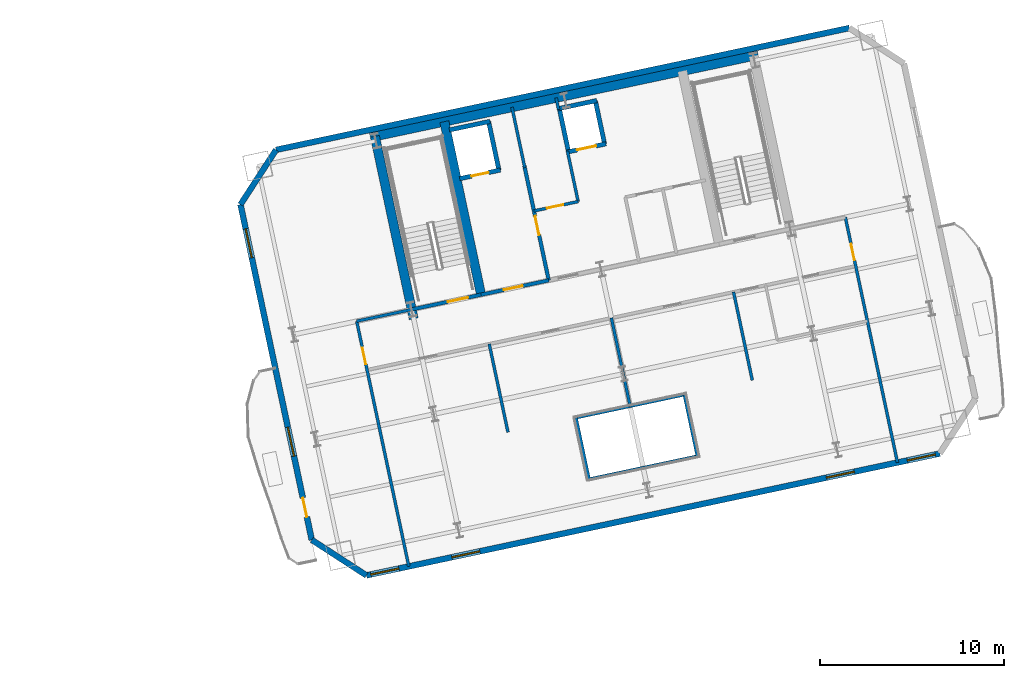
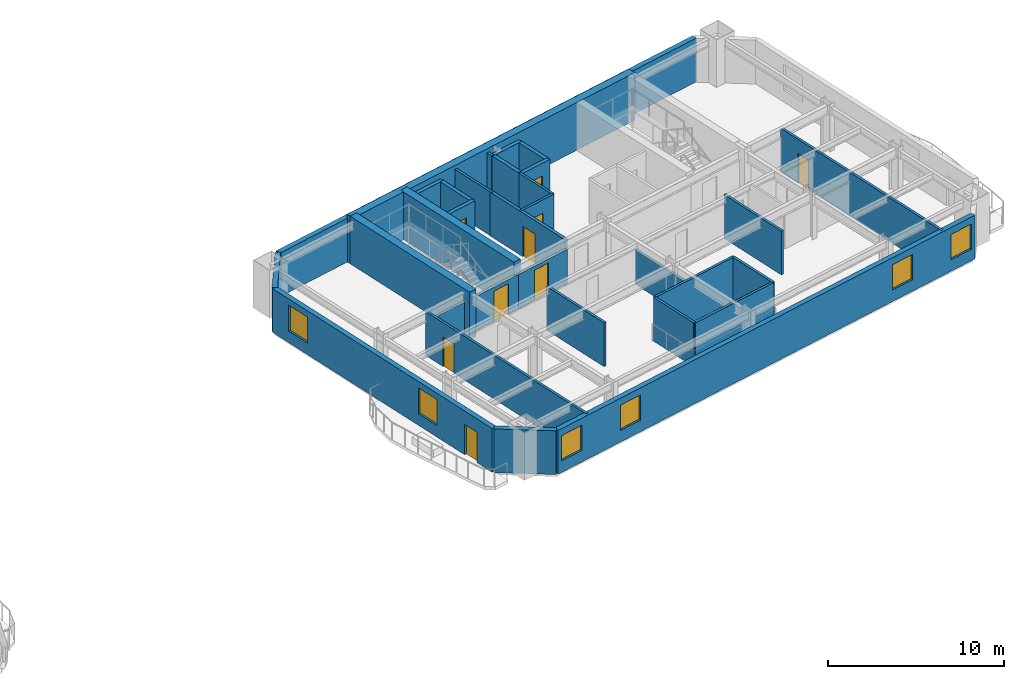
# One storey, part 7 of 13: 32 walls, 9 doors, 6 windows, 15 openings.
"""IFC4 building model written with IfcOpenShell, lengths in metres."""

import ifcopenshell
import ifcopenshell.guid

model = None  # the IFC model being written
_history = None  # IfcOwnerHistory: only IFC2X3 demands one
_inside = {}  # id of a spatial element -> (the spatial element, [elements in it])
_under = {}  # id of a project, library or spatial element -> (it, [spatial elements below it])
_declared = {}  # id of a project -> (the project, [libraries it declares])
_typed = {}  # id of a type object -> (the type object, [elements of that type])
_made_of = {}  # id of a material, layer set ... -> (it, [elements and type objects made of it])


def new_model(schema):
    """Start an empty IFC model of exactly this schema.

    Asked for "IFC4X3", IfcOpenShell would pick the latest addendum, in which some entities
    have other attributes; the version numbers below select the first issue.
    IFC2X3 requires an IfcOwnerHistory on every rooted entity: one is made here for all.
    """
    global model, _history
    if schema == "IFC4X3":
        model = ifcopenshell.file(schema_version=(4, 3, 0, 0))
    else:
        model = ifcopenshell.file(schema=schema)
    _inside.clear()
    _under.clear()
    _declared.clear()
    _typed.clear()
    _made_of.clear()
    _history = None
    if model.schema == "IFC2X3":
        org = make("IfcOrganization", Name="unknown")
        user = make(
            "IfcPersonAndOrganization",
            ThePerson=make("IfcPerson", FamilyName="unknown"),
            TheOrganization=org,
        )
        app = make(
            "IfcApplication",
            ApplicationDeveloper=org,
            Version="unknown",
            ApplicationFullName="unknown",
            ApplicationIdentifier="unknown",
        )
        _history = make(
            "IfcOwnerHistory",
            OwningUser=user,
            OwningApplication=app,
            ChangeAction="ADDED",
            CreationDate=0,
        )
    return model


def make(cls, **values):
    """One entity of the class cls with the attributes given. An attribute that is None is left unset."""
    return model.create_entity(
        cls, **{name: value for name, value in values.items() if value is not None}
    )


def rooted(cls, **values):
    """An entity with a GlobalId (a new one), such as an element, a storey or a relation."""
    return make(cls, GlobalId=ifcopenshell.guid.new(), OwnerHistory=_history, **values)


def si_unit(unit_type, name, prefix=None):
    """IfcSIUnit, for example si_unit("LENGTHUNIT", "METRE", prefix="MILLI")."""
    return make("IfcSIUnit", UnitType=unit_type, Prefix=prefix, Name=name)


def assignment(units):
    """IfcUnitAssignment: the units of a project."""
    return None if units is None else make("IfcUnitAssignment", Units=units)


def point(xyz):
    """IfcCartesianPoint."""
    return None if xyz is None else make("IfcCartesianPoint", Coordinates=xyz)


def direction(xyz):
    """IfcDirection."""
    return None if xyz is None else make("IfcDirection", DirectionRatios=xyz)


def frame(location, z_axis=None, x_axis=None):
    """IfcAxis2Placement3D, a coordinate frame: its origin and axes. An axis left out is left unset."""
    return make(
        "IfcAxis2Placement3D",
        Location=point(location),
        Axis=direction(z_axis),
        RefDirection=direction(x_axis),
    )


def frame_2d(location, x_axis=None):
    """IfcAxis2Placement2D, a coordinate frame in the plane: its origin and x axis."""
    return make(
        "IfcAxis2Placement2D", Location=point(location), RefDirection=direction(x_axis)
    )


def origin():
    """The frame at (0, 0, 0) with its axes left unset."""
    return frame((0.0, 0.0, 0.0))


def place(relative_to, where):
    """IfcLocalPlacement: puts the frame where relative to a parent placement (None: the world)."""
    return make(
        "IfcLocalPlacement", PlacementRelTo=relative_to, RelativePlacement=where
    )


def context(
    kind, dimensions, precision=None, world=None, true_north=None, identifier=None
):
    """IfcGeometricRepresentationContext, for example the 3D "Model" context."""
    return make(
        "IfcGeometricRepresentationContext",
        ContextIdentifier=identifier,
        ContextType=kind,
        CoordinateSpaceDimension=dimensions,
        Precision=precision,
        WorldCoordinateSystem=world,
        TrueNorth=true_north,
    )


def subcontext(parent, identifier, kind, view, scale=None):
    """IfcGeometricRepresentationSubContext, for example "Body" below "Model"."""
    return make(
        "IfcGeometricRepresentationSubContext",
        ContextIdentifier=identifier,
        ContextType=kind,
        ParentContext=parent,
        TargetScale=scale,
        TargetView=view,
    )


def project(units=None, contexts=None):
    """IfcProject with its units and contexts."""
    return rooted(
        "IfcProject",
        Name="project",
        RepresentationContexts=contexts,
        UnitsInContext=assignment(units),
    )


def spatial(cls, under=None, at=None, **own):
    """A site, building, storey or space (cls), placed at a placement, below another one or the project."""
    s = rooted(cls, ObjectPlacement=at, **own)
    if under is not None:
        _under.setdefault(under.id(), (under, []))[1].append(s)
    return s


def profile(cls, at=None, kind="AREA", **sizes):
    """A parametric profile (cls). Its sizes go by their IFC names, for example OverallWidth=200.0."""
    return make(cls, ProfileType=kind, Position=at, **sizes)


def rectangle(**sizes):
    """IfcRectangleProfileDef."""
    return profile("IfcRectangleProfileDef", **sizes)


def extrude(swept, where, along, depth):
    """IfcExtrudedAreaSolid: the profile swept, set in the frame where, extruded along a direction by depth."""
    return make(
        "IfcExtrudedAreaSolid",
        SweptArea=swept,
        Position=where,
        ExtrudedDirection=direction(along),
        Depth=depth,
    )


def shape(context_of_items, identifier, shape_type, items):
    """IfcShapeRepresentation: the items that make up one representation, for example the "Body"."""
    return make(
        "IfcShapeRepresentation",
        ContextOfItems=context_of_items,
        RepresentationIdentifier=identifier,
        RepresentationType=shape_type,
        Items=items,
    )


def material(Name=None, Category=None):
    """IfcMaterial."""
    return make("IfcMaterial", Name=Name, Category=Category)


def layer(
    of_material, thickness, ventilated=None, Name=None, Category=None, Priority=None
):
    """IfcMaterialLayer: one layer of a wall or slab, of a material (None: an air gap)."""
    return make(
        "IfcMaterialLayer",
        Material=of_material,
        LayerThickness=thickness,
        IsVentilated=ventilated,
        Name=Name,
        Category=Category,
        Priority=Priority,
    )


def layer_set(layers, Name=None):
    """IfcMaterialLayerSet."""
    return make("IfcMaterialLayerSet", MaterialLayers=layers, LayerSetName=Name)


def made_of(thing, what):
    """Note that an element or type object is made of a material, layer set ...; save() writes the relation."""
    if what is not None:
        _made_of.setdefault(what.id(), (what, []))[1].append(thing)
    return thing


def type_object(cls, material=None, **own):
    """A type object (cls), such as IfcWallType, which elements share."""
    return made_of(rooted(cls, **own), material)


def element(
    cls,
    number,
    at=None,
    inside=None,
    cuts=None,
    type_object=None,
    material=None,
    context=None,
    identifier="Body",
    shape_type=None,
    held_by="IfcProductDefinitionShape",
    body=None,
    shapes=None,
    **own,
):
    """One element of the class cls, such as IfcWall. Its Tag is "e" and its number.

    at: its placement. inside: the storey or other place that contains it. cuts: it is an
    opening in that element (IfcRelVoidsElement). A single representation is given by context,
    identifier, shape_type and body (its items); several are given by shapes. held_by: the class
    of the entity that holds the representations. save() writes the other relations.
    """
    e = rooted(cls, Tag="e%d" % number, ObjectPlacement=at, **own)
    if body is not None:
        shapes = [shape(context, identifier, shape_type, body)]
    if shapes is not None:
        e.Representation = make(held_by, Representations=shapes)
    if inside is not None:
        _inside.setdefault(inside.id(), (inside, []))[1].append(e)
    if cuts is not None:
        rooted(
            "IfcRelVoidsElement", RelatingBuildingElement=cuts, RelatedOpeningElement=e
        )
    if type_object is not None:
        _typed.setdefault(type_object.id(), (type_object, []))[1].append(e)
    return made_of(e, material)


def fill(opening, filler):
    """IfcRelFillsElement: the door or window that sits in an opening."""
    return rooted(
        "IfcRelFillsElement",
        RelatingOpeningElement=opening,
        RelatedBuildingElement=filler,
    )


def aggregate(whole, parts):
    """IfcRelAggregates: a whole, such as a stair, and the parts it consists of."""
    return rooted("IfcRelAggregates", RelatingObject=whole, RelatedObjects=parts)


def save(model, path):
    """Write the relations noted so far, then the file.

    IfcRelAggregates (storeys below a building ...), IfcRelContainedInSpatialStructure (elements
    in a storey), IfcRelDefinesByType, IfcRelAssociatesMaterial and IfcRelDeclares: one each for
    every whole, place, type object, material and project.
    """
    for whole, parts in _under.values():
        aggregate(whole, parts)
    for where, things in _inside.values():
        rooted(
            "IfcRelContainedInSpatialStructure",
            RelatedElements=things,
            RelatingStructure=where,
        )
    for kind, things in _typed.values():
        rooted("IfcRelDefinesByType", RelatedObjects=things, RelatingType=kind)
    for what, things in _made_of.values():
        rooted("IfcRelAssociatesMaterial", RelatedObjects=things, RelatingMaterial=what)
    for by, libraries in _declared.values():
        rooted("IfcRelDeclares", RelatingContext=by, RelatedDefinitions=libraries)
    model.write(path)


model = new_model("IFC4")

# Units and contexts
model_context = context("Model", 3, precision=1e-05, world=origin(), true_north=direction((0.0, 1.0)))
body_context = subcontext(model_context, "Body", "Model", "MODEL_VIEW")
ifc_project = project(units=[si_unit("LENGTHUNIT", "METRE"), si_unit("AREAUNIT", "SQUARE_METRE"), si_unit("VOLUMEUNIT", "CUBIC_METRE"), si_unit("PLANEANGLEUNIT", "RADIAN"), si_unit("MASSUNIT", "GRAM", prefix="KILO")], contexts=[model_context])

# Site, building, storey
site_placement = place(None, origin())
site = spatial("IfcSite", under=ifc_project, at=site_placement, CompositionType="ELEMENT")
building_placement = place(site_placement, origin())
building = spatial("IfcBuilding", under=site, at=building_placement, Name="Haevon Station Towers", CompositionType="ELEMENT")
storey_placement = place(building_placement, frame((0.0, 0.0, 126.300048828125)))
storey = spatial("IfcBuildingStorey", under=building, at=storey_placement, Name="L34", CompositionType="ELEMENT", Elevation=126.300048828125)

# Wall, opening, door
ifc_material_1 = material(Name="Gypsum board on steel stud", Category="steel")
ifc_layer_1 = layer(ifc_material_1, 0.199951171875)
ifc_layer_set_1 = layer_set([ifc_layer_1], Name="Gypsum board on steel stud")
wall_type_1 = type_object("IfcWallType", Name="WL-COR200", PredefinedType="PARTITIONING", material=ifc_layer_set_1)
wall_1_placement = place(storey_placement, frame((98.75244140625, 37.4423828125, 0.0), z_axis=(0.0, 0.0, 1.0), x_axis=(0.978143537786, 0.207930804564, 0.0)))
wall_1 = element("IfcWall", 1, at=wall_1_placement, inside=storey, type_object=wall_type_1, Name="WL-ST-ST3-L34", PredefinedType="PARTITIONING", context=body_context, shape_type="SweptSolid", body=[
    extrude(rectangle(XDim=3.85009765625, YDim=0.199951171875, at=frame_2d((1.925048828125, 0.0))), origin(), (0.0, 0.0, 1.0), 2.3798828125),
])
opening_1_placement = place(wall_1_placement, frame((2.0, 0.0, 0.0)))
opening_1 = element("IfcOpeningElement", 2, at=opening_1_placement, cuts=wall_1, Name="Opening DR-ST-ST3-L34", PredefinedType="OPENING", context=body_context, shape_type="SweptSolid", body=[
    extrude(rectangle(XDim=1.1201171875, YDim=2.10009765625, at=frame_2d((0.56005859375, 1.050048828125))), frame((0.0, 0.10986328125, 0.0), z_axis=(0.0, -1.0, 0.0), x_axis=(1.0, 0.0, 0.0)), (0.0, 0.0, 1.0), 0.219970703125),
])
ifc_material_2 = material(Name="Engineered oak timber", Category="wood")
door_type_1 = type_object("IfcDoorType", Name="DR-ST-1120", OperationType="NOTDEFINED", PredefinedType="DOOR", material=ifc_material_2)
door_1_placement = place(opening_1_placement, origin())
door_1 = element("IfcDoor", 3, at=door_1_placement, inside=storey, type_object=door_type_1, Name="L34 Escape Stair ST3 Fire Door", OperationType="SINGLE_SWING_LEFT", OverallHeight=2.10009765625, OverallWidth=1.1201171875, PredefinedType="DOOR", context=body_context, shape_type="SweptSolid", body=[
    extrude(rectangle(XDim=1.1201171875, YDim=2.10009765625, at=frame_2d((0.56005859375, 1.050048828125))), frame((0.0, 0.02490234375, 0.0), z_axis=(0.0, -1.0, 0.0), x_axis=(1.0, 0.0, 0.0)), (0.0, 0.0, 1.0), 0.050048828125),
])
fill(opening_1, door_1)

wall_2_placement = place(storey_placement, frame((106.186279296875, 39.0224609375, 0.0), z_axis=(0.0, 0.0, 1.0), x_axis=(-0.207916691923, 0.978146537703, 0.0)))
wall_2 = element("IfcWall", 4, at=wall_2_placement, inside=storey, type_object=wall_type_1, Name="WL-T2FFL-L34-E", PredefinedType="PARTITIONING", context=body_context, shape_type="SweptSolid", body=[
    extrude(rectangle(XDim=6.35009765625, YDim=0.199951171875, at=frame_2d((3.175048828125, 0.0))), origin(), (0.0, 0.0, 1.0), 3.030029296875),
])
opening_2_placement = place(wall_2_placement, frame((2.52001953125, 0.0, 0.0)))
opening_2 = element("IfcOpeningElement", 5, at=opening_2_placement, cuts=wall_2, Name="Opening DR-T2FFL-L34-E", PredefinedType="OPENING", context=body_context, shape_type="SweptSolid", body=[
    extrude(rectangle(XDim=1.050048828125, YDim=2.10009765625, at=frame_2d((0.52490234375, 1.050048828125))), frame((0.0, 0.10986328125, 0.0), z_axis=(0.0, -1.0, 0.0), x_axis=(1.0, 0.0, 0.0)), (0.0, 0.0, 1.0), 0.219970703125),
])
door_type_2 = type_object("IfcDoorType", Name="DR-FD60-1050", OperationType="NOTDEFINED", PredefinedType="DOOR", material=ifc_material_2)
door_2_placement = place(opening_2_placement, origin())
door_2 = element("IfcDoor", 6, at=door_2_placement, inside=storey, type_object=door_type_2, Name="L34 Tower 2 Firefighting Lift Lobby Door E", OperationType="SINGLE_SWING_LEFT", OverallHeight=2.10009765625, OverallWidth=1.050048828125, PredefinedType="DOOR", context=body_context, shape_type="SweptSolid", body=[
    extrude(rectangle(XDim=1.050048828125, YDim=2.10009765625, at=frame_2d((0.52490234375, 1.050048828125))), frame((0.0, 0.02490234375, 0.0), z_axis=(0.0, -1.0, 0.0), x_axis=(1.0, 0.0, 0.0)), (0.0, 0.0, 1.0), 0.050048828125),
])
fill(opening_2, door_2)

wall_3_placement = place(storey_placement, frame((102.518310546875, 38.242919921875, 0.0), z_axis=(0.0, 0.0, 1.0), x_axis=(0.978153555683, 0.20788367301, 0.0)))
wall_3 = element("IfcWall", 7, at=wall_3_placement, inside=storey, type_object=wall_type_1, Name="WL-T2FFL-L34-S", PredefinedType="PARTITIONING", context=body_context, shape_type="SweptSolid", body=[
    extrude(rectangle(XDim=3.75, YDim=0.199951171875, at=frame_2d((1.875, 0.0))), origin(), (0.0, 0.0, 1.0), 2.3798828125),
])
opening_3_placement = place(wall_3_placement, frame((1.25, 0.0, 0.0)))
opening_3 = element("IfcOpeningElement", 8, at=opening_3_placement, cuts=wall_3, Name="Opening DR-T2FFL-L34-S", PredefinedType="OPENING", context=body_context, shape_type="SweptSolid", body=[
    extrude(rectangle(XDim=1.050048828125, YDim=2.10009765625, at=frame_2d((0.52490234375, 1.050048828125))), frame((0.0, 0.10986328125, 0.0), z_axis=(0.0, -1.0, 0.0), x_axis=(1.0, 0.0, 0.0)), (0.0, 0.0, 1.0), 0.219970703125),
])
door_3_placement = place(opening_3_placement, origin())
door_3 = element("IfcDoor", 9, at=door_3_placement, inside=storey, type_object=door_type_2, Name="L34 Tower 2 Firefighting Lift Lobby Door S", OperationType="SINGLE_SWING_RIGHT", OverallHeight=2.10009765625, OverallWidth=1.050048828125, PredefinedType="DOOR", context=body_context, shape_type="SweptSolid", body=[
    extrude(rectangle(XDim=1.050048828125, YDim=2.10009765625, at=frame_2d((0.52490234375, 1.050048828125))), frame((0.0, 0.02490234375, 0.0), z_axis=(0.0, -1.0, 0.0), x_axis=(1.0, 0.0, 0.0)), (0.0, 0.0, 1.0), 0.050048828125),
])
fill(opening_3, door_3)

# Walls
ifc_material_3 = material(Name="Concrete C60/75", Category="concrete")
ifc_layer_2 = layer(ifc_material_3, 0.5)
ifc_layer_set_2 = layer_set([ifc_layer_2], Name="Concrete C60/75")
wall_type_2 = type_object("IfcWallType", Name="WL-CR500", PredefinedType="SHEAR", material=ifc_layer_set_2)
wall_4_placement = place(storey_placement, frame((96.511962890625, 46.78076171875, 0.0), z_axis=(0.0, 0.0, 1.0), x_axis=(0.978148546782, 0.207907239961, 0.0)))
element("IfcWall", 10, at=wall_4_placement, inside=storey, type_object=wall_type_2, Name="WL-T2CR-L34-N", PredefinedType="SHEAR", context=body_context, shape_type="SweptSolid", body=[
    extrude(rectangle(XDim=21.499755859375, YDim=0.5, at=frame_2d((10.75, 0.0))), origin(), (0.0, 0.0, 1.0), 3.300048828125),
])
wall_5_placement = place(storey_placement, frame((98.8603515625, 36.933837890625, 0.0), z_axis=(0.0, 0.0, 1.0), x_axis=(-0.20790924889, 0.978148119778, 0.0)))
element("IfcWall", 11, at=wall_5_placement, inside=storey, type_object=wall_type_2, Name="WL-T2CR-L34-W", PredefinedType="SHEAR", context=body_context, shape_type="SweptSolid", body=[
    extrude(rectangle(XDim=10.119873046875, YDim=0.5, at=frame_2d((5.06005859375, 0.0))), origin(), (0.0, 0.0, 1.0), 3.300048828125),
])
wall_6_placement = place(storey_placement, frame((102.518310546875, 38.242919921875, 0.0), z_axis=(0.0, 0.0, 1.0), x_axis=(-0.207927495108, 0.978144241295, 0.0)))
element("IfcWall", 12, at=wall_6_placement, inside=storey, type_object=wall_type_2, Name="WL-T2CR-L34-M1", PredefinedType="SHEAR", context=body_context, shape_type="SweptSolid", body=[
    extrude(rectangle(XDim=9.599853515625, YDim=0.5, at=frame_2d((4.7998046875, 0.0))), origin(), (0.0, 0.0, 1.0), 3.300048828125),
])

# Wall, openings, windows
ifc_material_4 = material(Name="Precast concrete C45/55", Category="concrete")
ifc_layer_3 = layer(ifc_material_4, 0.320068359375)
ifc_layer_set_3 = layer_set([ifc_layer_3], Name="Precast concrete C45/55")
wall_type_3 = type_object("IfcWallType", Name="WL-EXT-PIER320", PredefinedType="SOLIDWALL", material=ifc_layer_set_3)
wall_7_placement = place(storey_placement, frame((127.403076171875, 29.62841796875, 0.0), z_axis=(0.0, 0.0, 1.0), x_axis=(-0.978147903401, -0.207910266877, 0.0)))
wall_7 = element("IfcWall", 13, at=wall_7_placement, inside=storey, type_object=wall_type_3, Name="WL-T2-L34-S", PredefinedType="SOLIDWALL", context=body_context, shape_type="SweptSolid", body=[
    extrude(rectangle(XDim=31.800048828125, YDim=0.320068359375, at=frame_2d((15.89990234375, 0.0))), origin(), (0.0, 0.0, 1.0), 3.030029296875),
])
opening_4_placement = place(wall_7_placement, frame((30.0, 0.0, 0.800048828125)))
opening_4 = element("IfcOpeningElement", 14, at=opening_4_placement, cuts=wall_7, Name="Opening WN-P155", PredefinedType="OPENING", context=body_context, shape_type="SweptSolid", body=[
    extrude(rectangle(XDim=1.550048828125, YDim=1.75, at=frame_2d((0.77490234375, 0.875))), frame((0.0, 0.169921875, 0.0), z_axis=(0.0, -1.0, 0.0), x_axis=(1.0, 0.0, 0.0)), (0.0, 0.0, 1.0), 0.340087890625),
])
opening_5_placement = place(wall_7_placement, frame((0.25, 0.0, 0.800048828125)))
opening_5 = element("IfcOpeningElement", 15, at=opening_5_placement, cuts=wall_7, Name="Opening WN-P155", PredefinedType="OPENING", context=body_context, shape_type="SweptSolid", body=[
    extrude(rectangle(XDim=1.550048828125, YDim=1.75, at=frame_2d((0.77490234375, 0.875))), frame((0.0, 0.169921875, 0.0), z_axis=(0.0, -1.0, 0.0), x_axis=(1.0, 0.0, 0.0)), (0.0, 0.0, 1.0), 0.340087890625),
])
opening_6_placement = place(wall_7_placement, frame((25.5107421875, 0.0, 0.800048828125)))
opening_6 = element("IfcOpeningElement", 16, at=opening_6_placement, cuts=wall_7, Name="Opening WN-P155", PredefinedType="OPENING", context=body_context, shape_type="SweptSolid", body=[
    extrude(rectangle(XDim=1.550048828125, YDim=1.75, at=frame_2d((0.77490234375, 0.875))), frame((0.0, 0.169921875, 0.0), z_axis=(0.0, -1.0, 0.0), x_axis=(1.0, 0.0, 0.0)), (0.0, 0.0, 1.0), 0.340087890625),
])
opening_7_placement = place(wall_7_placement, frame((4.7392578125, 0.0, 0.800048828125)))
opening_7 = element("IfcOpeningElement", 17, at=opening_7_placement, cuts=wall_7, Name="Opening WN-P155", PredefinedType="OPENING", context=body_context, shape_type="SweptSolid", body=[
    extrude(rectangle(XDim=1.550048828125, YDim=1.75, at=frame_2d((0.77490234375, 0.875))), frame((0.0, 0.169921875, 0.0), z_axis=(0.0, -1.0, 0.0), x_axis=(1.0, 0.0, 0.0)), (0.0, 0.0, 1.0), 0.340087890625),
])
ifc_material_5 = material(Name="Low-E triple glazing in thermally broken aluminium", Category="aluminium")
window_type_1 = type_object("IfcWindowType", Name="WN-P155", PartitioningType="SINGLE_PANEL", PredefinedType="WINDOW", material=ifc_material_5)
window_1_placement = place(opening_4_placement, origin())
window_1 = element("IfcWindow", 18, at=window_1_placement, inside=storey, type_object=window_type_1, Name="WN-T2-L34-S01", OverallHeight=1.75, OverallWidth=1.550048828125, PartitioningType="SINGLE_PANEL", PredefinedType="WINDOW", context=body_context, shape_type="SweptSolid", body=[
    extrude(rectangle(XDim=1.550048828125, YDim=1.75, at=frame_2d((0.77490234375, 0.875))), frame((0.0, 0.030029296875, 0.0), z_axis=(0.0, -1.0, 0.0), x_axis=(1.0, 0.0, 0.0)), (0.0, 0.0, 1.0), 0.06005859375),
])
fill(opening_4, window_1)
window_2_placement = place(opening_5_placement, origin())
window_2 = element("IfcWindow", 19, at=window_2_placement, inside=storey, type_object=window_type_1, Name="WN-T2-L34-S02", OverallHeight=1.75, OverallWidth=1.550048828125, PartitioningType="SINGLE_PANEL", PredefinedType="WINDOW", context=body_context, shape_type="SweptSolid", body=[
    extrude(rectangle(XDim=1.550048828125, YDim=1.75, at=frame_2d((0.77490234375, 0.875))), frame((0.0, 0.030029296875, 0.0), z_axis=(0.0, -1.0, 0.0), x_axis=(1.0, 0.0, 0.0)), (0.0, 0.0, 1.0), 0.06005859375),
])
fill(opening_5, window_2)
window_3_placement = place(opening_6_placement, origin())
window_3 = element("IfcWindow", 20, at=window_3_placement, inside=storey, type_object=window_type_1, Name="WN-T2-L34-S03", OverallHeight=1.75, OverallWidth=1.550048828125, PartitioningType="SINGLE_PANEL", PredefinedType="WINDOW", context=body_context, shape_type="SweptSolid", body=[
    extrude(rectangle(XDim=1.550048828125, YDim=1.75, at=frame_2d((0.77490234375, 0.875))), frame((0.0, 0.030029296875, 0.0), z_axis=(0.0, -1.0, 0.0), x_axis=(1.0, 0.0, 0.0)), (0.0, 0.0, 1.0), 0.06005859375),
])
fill(opening_6, window_3)
window_4_placement = place(opening_7_placement, origin())
window_4 = element("IfcWindow", 21, at=window_4_placement, inside=storey, type_object=window_type_1, Name="WN-T2-L34-S04", OverallHeight=1.75, OverallWidth=1.550048828125, PartitioningType="SINGLE_PANEL", PredefinedType="WINDOW", context=body_context, shape_type="SweptSolid", body=[
    extrude(rectangle(XDim=1.550048828125, YDim=1.75, at=frame_2d((0.77490234375, 0.875))), frame((0.0, 0.030029296875, 0.0), z_axis=(0.0, -1.0, 0.0), x_axis=(1.0, 0.0, 0.0)), (0.0, 0.0, 1.0), 0.06005859375),
])
fill(opening_7, window_4)

# Wall
wall_8_placement = place(storey_placement, frame((96.2978515625, 23.016845703125, 0.0), z_axis=(0.0, 0.0, 1.0), x_axis=(-0.838672309694, 0.544636352948, 0.0)))
element("IfcWall", 22, at=wall_8_placement, inside=storey, type_object=wall_type_3, Name="WL-T2-L34-SWC", PredefinedType="SOLIDWALL", context=body_context, shape_type="SweptSolid", body=[
    extrude(rectangle(XDim=3.535400390625, YDim=0.320068359375, at=frame_2d((1.767578125, 0.0))), origin(), (0.0, 0.0, 1.0), 3.030029296875),
])

# Wall, openings, door, windows
wall_9_placement = place(storey_placement, frame((93.332763671875, 24.9423828125, 0.0), z_axis=(0.0, 0.0, 1.0), x_axis=(-0.207912600897, 0.97814740729, 0.0)))
wall_9 = element("IfcWall", 23, at=wall_9_placement, inside=storey, type_object=wall_type_3, Name="WL-T2-L34-W", PredefinedType="SOLIDWALL", context=body_context, shape_type="SweptSolid", body=[
    extrude(rectangle(XDim=18.60009765625, YDim=0.320068359375, at=frame_2d((9.300048828125, 0.0))), origin(), (0.0, 0.0, 1.0), 3.030029296875),
])
opening_8_placement = place(wall_9_placement, frame((1.27490234375, 0.0, 0.0)))
opening_8 = element("IfcOpeningElement", 24, at=opening_8_placement, cuts=wall_9, Name="Opening DR-T2-SCAL-L34-W", PredefinedType="OPENING", context=body_context, shape_type="SweptSolid", body=[
    extrude(rectangle(XDim=1.050048828125, YDim=2.10009765625, at=frame_2d((0.52490234375, 1.050048828125))), frame((0.0, 0.169921875, 0.0), z_axis=(0.0, -1.0, 0.0), x_axis=(1.0, 0.0, 0.0)), (0.0, 0.0, 1.0), 0.340087890625),
])
opening_9_placement = place(wall_9_placement, frame((4.64990234375, 0.0, 0.800048828125)))
opening_9 = element("IfcOpeningElement", 25, at=opening_9_placement, cuts=wall_9, Name="Opening WN-END160", PredefinedType="OPENING", context=body_context, shape_type="SweptSolid", body=[
    extrude(rectangle(XDim=1.60009765625, YDim=1.800048828125, at=frame_2d((0.800048828125, 0.89990234375))), frame((0.0, 0.169921875, 0.0), z_axis=(0.0, -1.0, 0.0), x_axis=(1.0, 0.0, 0.0)), (0.0, 0.0, 1.0), 0.340087890625),
])
opening_10_placement = place(wall_9_placement, frame((15.64990234375, 0.0, 0.800048828125)))
opening_10 = element("IfcOpeningElement", 26, at=opening_10_placement, cuts=wall_9, Name="Opening WN-END160", PredefinedType="OPENING", context=body_context, shape_type="SweptSolid", body=[
    extrude(rectangle(XDim=1.60009765625, YDim=1.800048828125, at=frame_2d((0.800048828125, 0.89990234375))), frame((0.0, 0.169921875, 0.0), z_axis=(0.0, -1.0, 0.0), x_axis=(1.0, 0.0, 0.0)), (0.0, 0.0, 1.0), 0.340087890625),
])
ifc_material_6 = material(Name="Thermally broken anodised aluminium and laminated safety glass", Category="aluminium")
door_type_3 = type_object("IfcDoorType", Name="DR-BALC-1050", OperationType="NOTDEFINED", PredefinedType="DOOR", material=ifc_material_6)
door_4_placement = place(opening_8_placement, origin())
door_4 = element("IfcDoor", 27, at=door_4_placement, inside=storey, type_object=door_type_3, Name="Tower 2 L34 West Scalloped Balcony Door", OperationType="SINGLE_SWING_RIGHT", OverallHeight=2.10009765625, OverallWidth=1.050048828125, PredefinedType="DOOR", context=body_context, shape_type="SweptSolid", body=[
    extrude(rectangle(XDim=1.050048828125, YDim=2.10009765625, at=frame_2d((0.52490234375, 1.050048828125))), frame((0.0, 0.02490234375, 0.0), z_axis=(0.0, -1.0, 0.0), x_axis=(1.0, 0.0, 0.0)), (0.0, 0.0, 1.0), 0.050048828125),
])
fill(opening_8, door_4)
window_type_2 = type_object("IfcWindowType", Name="WN-END160", PartitioningType="SINGLE_PANEL", PredefinedType="WINDOW", material=ifc_material_5)
window_5_placement = place(opening_9_placement, origin())
window_5 = element("IfcWindow", 28, at=window_5_placement, inside=storey, type_object=window_type_2, Name="WN-T2-L34-W01", OverallHeight=1.800048828125, OverallWidth=1.60009765625, PartitioningType="SINGLE_PANEL", PredefinedType="WINDOW", context=body_context, shape_type="SweptSolid", body=[
    extrude(rectangle(XDim=1.60009765625, YDim=1.800048828125, at=frame_2d((0.800048828125, 0.89990234375))), frame((0.0, 0.030029296875, 0.0), z_axis=(0.0, -1.0, 0.0), x_axis=(1.0, 0.0, 0.0)), (0.0, 0.0, 1.0), 0.06005859375),
])
fill(opening_9, window_5)
window_6_placement = place(opening_10_placement, origin())
window_6 = element("IfcWindow", 29, at=window_6_placement, inside=storey, type_object=window_type_2, Name="WN-T2-L34-W02", OverallHeight=1.800048828125, OverallWidth=1.60009765625, PartitioningType="SINGLE_PANEL", PredefinedType="WINDOW", context=body_context, shape_type="SweptSolid", body=[
    extrude(rectangle(XDim=1.60009765625, YDim=1.800048828125, at=frame_2d((0.800048828125, 0.89990234375))), frame((0.0, 0.030029296875, 0.0), z_axis=(0.0, -1.0, 0.0), x_axis=(1.0, 0.0, 0.0)), (0.0, 0.0, 1.0), 0.06005859375),
])
fill(opening_10, window_6)

# Walls
wall_10_placement = place(storey_placement, frame((89.465576171875, 43.135986328125, 0.0), z_axis=(0.0, 0.0, 1.0), x_axis=(0.544684921471, 0.838640767148, 0.0)))
element("IfcWall", 30, at=wall_10_placement, inside=storey, type_object=wall_type_3, Name="WL-T2-L34-NWC", PredefinedType="SOLIDWALL", context=body_context, shape_type="SweptSolid", body=[
    extrude(rectangle(XDim=3.53564453125, YDim=0.320068359375, at=frame_2d((1.767822265625, 0.0))), origin(), (0.0, 0.0, 1.0), 3.030029296875),
])
wall_11_placement = place(storey_placement, frame((91.391357421875, 46.10107421875, 0.0), z_axis=(0.0, 0.0, 1.0), x_axis=(0.978147571531, 0.207911828208, 0.0)))
element("IfcWall", 31, at=wall_11_placement, inside=storey, type_object=wall_type_3, Name="WL-T2-L34-N", PredefinedType="SOLIDWALL", context=body_context, shape_type="SweptSolid", body=[
    extrude(rectangle(XDim=31.7998046875, YDim=0.320068359375, at=frame_2d((15.89990234375, 0.0))), origin(), (0.0, 0.0, 1.0), 3.030029296875),
])
ifc_layer_4 = layer(ifc_material_1, 0.159912109375)
ifc_layer_set_4 = layer_set([ifc_layer_4], Name="Gypsum board on steel stud")
wall_type_4 = type_object("IfcWallType", Name="WL-PRT160", PredefinedType="PARTITIONING", material=ifc_layer_set_4)
wall_12_placement = place(storey_placement, frame((104.88671875, 45.135986328125, 0.0), z_axis=(0.0, 0.0, 1.0), x_axis=(-0.207846553267, 0.978161443881, 0.0)))
element("IfcWall", 32, at=wall_12_placement, inside=storey, type_object=wall_type_4, Name="WL-T2CW-L34-01", PredefinedType="PARTITIONING", context=body_context, shape_type="SweptSolid", body=[
    extrude(rectangle(XDim=3.35009765625, YDim=0.159912109375, at=frame_2d((1.675048828125, 0.0))), origin(), (0.0, 0.0, 1.0), 3.030029296875),
])

# Wall, opening, door
wall_13_placement = place(storey_placement, frame((105.3857421875, 42.788330078125, 0.0), z_axis=(0.0, 0.0, 1.0), x_axis=(0.978136559131, 0.207963630695, 0.0)))
wall_13 = element("IfcWall", 33, at=wall_13_placement, inside=storey, type_object=wall_type_4, Name="WL-T2CW-L34-02", PredefinedType="PARTITIONING", context=body_context, shape_type="SweptSolid", body=[
    extrude(rectangle(XDim=2.449951171875, YDim=0.159912109375, at=frame_2d((1.22509765625, 0.0))), origin(), (0.0, 0.0, 1.0), 3.030029296875),
])
opening_11_placement = place(wall_13_placement, frame((0.719970703125, 0.0, 0.0)))
opening_11 = element("IfcOpeningElement", 34, at=opening_11_placement, cuts=wall_13, Name="Opening DR-WL-T2CW-L34-02-1", PredefinedType="OPENING", context=body_context, shape_type="SweptSolid", body=[
    extrude(rectangle(XDim=0.89990234375, YDim=2.10009765625, at=frame_2d((0.449951171875, 1.050048828125))), frame((0.0, 0.08984375, 0.0), z_axis=(0.0, -1.0, 0.0), x_axis=(1.0, 0.0, 0.0)), (0.0, 0.0, 1.0), 0.179931640625),
])
door_type_4 = type_object("IfcDoorType", Name="DR-FD60-900", OperationType="NOTDEFINED", PredefinedType="DOOR", material=ifc_material_2)
door_5_placement = place(opening_11_placement, origin())
door_5 = element("IfcDoor", 35, at=door_5_placement, inside=storey, type_object=door_type_4, Name="L34 Tower 2 Core Room Door 2-1", OperationType="SINGLE_SWING_LEFT", OverallHeight=2.10009765625, OverallWidth=0.89990234375, PredefinedType="DOOR", context=body_context, shape_type="SweptSolid", body=[
    extrude(rectangle(XDim=0.89990234375, YDim=2.10009765625, at=frame_2d((0.449951171875, 1.050048828125))), frame((0.0, 0.02490234375, 0.0), z_axis=(0.0, -1.0, 0.0), x_axis=(1.0, 0.0, 0.0)), (0.0, 0.0, 1.0), 0.050048828125),
])
fill(opening_11, door_5)

# Walls
wall_14_placement = place(storey_placement, frame((107.7822265625, 43.2978515625, 0.0), z_axis=(0.0, 0.0, 1.0), x_axis=(-0.207873355681, 0.978155748334, 0.0)))
element("IfcWall", 36, at=wall_14_placement, inside=storey, type_object=wall_type_4, Name="WL-T2CW-L34-03", PredefinedType="PARTITIONING", context=body_context, shape_type="SweptSolid", body=[
    extrude(rectangle(XDim=2.800048828125, YDim=0.159912109375, at=frame_2d((1.39990234375, 0.0))), origin(), (0.0, 0.0, 1.0), 3.030029296875),
])
wall_15_placement = place(storey_placement, frame((106.721923828125, 48.286376953125, 0.0), z_axis=(0.0, 0.0, 1.0), x_axis=(-0.208092352933, 0.978109182377, 0.0)))
element("IfcWall", 37, at=wall_15_placement, inside=storey, type_object=wall_type_4, Name="WL-T2CW-L34-04", PredefinedType="PARTITIONING", context=body_context, shape_type="SweptSolid", body=[
    extrude(rectangle(XDim=0.64990234375, YDim=0.159912109375, at=frame_2d((0.324951171875, 0.0))), origin(), (0.0, 0.0, 1.0), 3.030029296875),
])
wall_16_placement = place(storey_placement, frame((95.76904296875, 36.808349609375, 0.0), z_axis=(0.0, 0.0, 1.0), x_axis=(0.978154782045, 0.207877902534, 0.0)))
element("IfcWall", 38, at=wall_16_placement, inside=storey, type_object=wall_type_4, Name="WL-T2PT-L34-01", PredefinedType="PARTITIONING", context=body_context, shape_type="SweptSolid", body=[
    extrude(rectangle(XDim=3.050048828125, YDim=0.159912109375, at=frame_2d((1.52490234375, 0.0))), origin(), (0.0, 0.0, 1.0), 2.3798828125),
])

# Wall, opening, door
wall_17_placement = place(storey_placement, frame((98.5966796875, 23.50537109375, 0.0), z_axis=(0.0, 0.0, 1.0), x_axis=(-0.207911785474, 0.978147580614, 0.0)))
wall_17 = element("IfcWall", 39, at=wall_17_placement, inside=storey, type_object=wall_type_4, Name="WL-T2PT-L34-03", PredefinedType="PARTITIONING", context=body_context, shape_type="SweptSolid", body=[
    extrude(rectangle(XDim=13.60009765625, YDim=0.159912109375, at=frame_2d((6.800048828125, 0.0))), origin(), (0.0, 0.0, 1.0), 3.030029296875),
])
opening_12_placement = place(wall_17_placement, frame((11.219970703125, 0.0, 0.0)))
opening_12 = element("IfcOpeningElement", 40, at=opening_12_placement, cuts=wall_17, Name="Opening DR-WL-T2PT-L34-03-01", PredefinedType="OPENING", context=body_context, shape_type="SweptSolid", body=[
    extrude(rectangle(XDim=0.89990234375, YDim=2.050048828125, at=frame_2d((0.449951171875, 1.02490234375))), frame((0.0, 0.08984375, 0.0), z_axis=(0.0, -1.0, 0.0), x_axis=(1.0, 0.0, 0.0)), (0.0, 0.0, 1.0), 0.179931640625),
])
door_type_5 = type_object("IfcDoorType", Name="DR-INT-900", OperationType="NOTDEFINED", PredefinedType="DOOR", material=ifc_material_2)
door_6_placement = place(opening_12_placement, origin())
door_6 = element("IfcDoor", 41, at=door_6_placement, inside=storey, type_object=door_type_5, Name="L34 Tower 2 Room Door 3-1", OperationType="SINGLE_SWING_RIGHT", OverallHeight=2.050048828125, OverallWidth=0.89990234375, PredefinedType="DOOR", context=body_context, shape_type="SweptSolid", body=[
    extrude(rectangle(XDim=0.89990234375, YDim=2.050048828125, at=frame_2d((0.449951171875, 1.02490234375))), frame((0.0, 0.02490234375, 0.0), z_axis=(0.0, -1.0, 0.0), x_axis=(1.0, 0.0, 0.0)), (0.0, 0.0, 1.0), 0.050048828125),
])
fill(opening_12, door_6)

wall_18_placement = place(storey_placement, frame((125.1044921875, 29.139892578125, 0.0), z_axis=(0.0, 0.0, 1.0), x_axis=(-0.207915436261, 0.978146804608, 0.0)))
wall_18 = element("IfcWall", 42, at=wall_18_placement, inside=storey, type_object=wall_type_4, Name="WL-T2PT-L34-04", PredefinedType="PARTITIONING", context=body_context, shape_type="SweptSolid", body=[
    extrude(rectangle(XDim=13.599853515625, YDim=0.159912109375, at=frame_2d((6.7998046875, 0.0))), origin(), (0.0, 0.0, 1.0), 3.030029296875),
])
opening_13_placement = place(wall_18_placement, frame((11.219970703125, 0.0, 0.0)))
opening_13 = element("IfcOpeningElement", 43, at=opening_13_placement, cuts=wall_18, Name="Opening DR-WL-T2PT-L34-04-01", PredefinedType="OPENING", context=body_context, shape_type="SweptSolid", body=[
    extrude(rectangle(XDim=0.89990234375, YDim=2.050048828125, at=frame_2d((0.449951171875, 1.02490234375))), frame((0.0, 0.08984375, 0.0), z_axis=(0.0, -1.0, 0.0), x_axis=(1.0, 0.0, 0.0)), (0.0, 0.0, 1.0), 0.179931640625),
])
door_7_placement = place(opening_13_placement, origin())
door_7 = element("IfcDoor", 44, at=door_7_placement, inside=storey, type_object=door_type_5, Name="L34 Tower 2 Room Door 4-1", OperationType="SINGLE_SWING_LEFT", OverallHeight=2.050048828125, OverallWidth=0.89990234375, PredefinedType="DOOR", context=body_context, shape_type="SweptSolid", body=[
    extrude(rectangle(XDim=0.89990234375, YDim=2.050048828125, at=frame_2d((0.449951171875, 1.02490234375))), frame((0.0, 0.02490234375, 0.0), z_axis=(0.0, -1.0, 0.0), x_axis=(1.0, 0.0, 0.0)), (0.0, 0.0, 1.0), 0.050048828125),
])
fill(opening_13, door_7)

# Walls
wall_19_placement = place(storey_placement, frame((108.37548828125, 28.2421875, 0.0), z_axis=(0.0, 0.0, 1.0), x_axis=(0.978152955943, 0.207886494942, 0.0)))
element("IfcWall", 45, at=wall_19_placement, inside=storey, type_object=wall_type_4, Name="WL-T2PT-L34-05", PredefinedType="PARTITIONING", context=body_context, shape_type="SweptSolid", body=[
    extrude(rectangle(XDim=6.0, YDim=0.159912109375, at=frame_2d((3.0, 0.0))), origin(), (0.0, 0.0, 1.0), 3.030029296875),
])
wall_20_placement = place(storey_placement, frame((107.668701171875, 31.56787109375, 0.0), z_axis=(0.0, 0.0, 1.0), x_axis=(0.978151197336, 0.207894769415, 0.0)))
element("IfcWall", 46, at=wall_20_placement, inside=storey, type_object=wall_type_4, Name="WL-T2PT-L34-06", PredefinedType="PARTITIONING", context=body_context, shape_type="SweptSolid", body=[
    extrude(rectangle(XDim=5.999755859375, YDim=0.159912109375, at=frame_2d((3.0, 0.0))), origin(), (0.0, 0.0, 1.0), 3.030029296875),
])
for number, where, z_axis, x_axis, name in (
    (47, (108.37548828125, 28.2421875, 0.0), (0.0, 0.0, 1.0), (-0.207881084728, 0.978154105758, 0.0), "WL-T2PT-L34-07"),
    (48, (114.244384765625, 29.489501953125, 0.0), (0.0, 0.0, 1.0), (-0.207949787024, 0.97813950236, 0.0), "WL-T2PT-L34-08"),
):
    element("IfcWall", number, at=place(storey_placement, frame(where, z_axis=z_axis, x_axis=x_axis)), inside=storey, type_object=wall_type_4, Name=name, PredefinedType="PARTITIONING", context=body_context, shape_type="SweptSolid", body=[
        extrude(rectangle(XDim=3.39990234375, YDim=0.159912109375, at=frame_2d((1.699951171875, 0.0))), origin(), (0.0, 0.0, 1.0), 3.030029296875),
    ])
wall_21_placement = place(storey_placement, frame((103.97607421875, 30.782958984375, 0.0), z_axis=(0.0, 0.0, 1.0), x_axis=(-0.207915961186, 0.978146693029, 0.0)))
element("IfcWall", 49, at=wall_21_placement, inside=storey, type_object=wall_type_4, Name="WL-T2PT-L34-09", PredefinedType="PARTITIONING", context=body_context, shape_type="SweptSolid", body=[
    extrude(rectangle(XDim=4.900146484375, YDim=0.159912109375, at=frame_2d((2.4501953125, 0.0))), origin(), (0.0, 0.0, 1.0), 3.030029296875),
])
wall_22_placement = place(storey_placement, frame((110.60302734375, 32.191650390625, 0.0), z_axis=(0.0, 0.0, 1.0), x_axis=(-0.207926094511, 0.978144539023, 0.0)))
element("IfcWall", 50, at=wall_22_placement, inside=storey, type_object=wall_type_4, Name="WL-T2PT-L34-10", PredefinedType="PARTITIONING", context=body_context, shape_type="SweptSolid", body=[
    extrude(rectangle(XDim=4.89990234375, YDim=0.159912109375, at=frame_2d((2.449951171875, 0.0))), origin(), (0.0, 0.0, 1.0), 2.3798828125),
])
wall_23_placement = place(storey_placement, frame((117.22998046875, 33.60009765625, 0.0), z_axis=(0.0, 0.0, 1.0), x_axis=(-0.207915961186, 0.978146693029, 0.0)))
element("IfcWall", 51, at=wall_23_placement, inside=storey, type_object=wall_type_4, Name="WL-T2PT-L34-12", PredefinedType="PARTITIONING", context=body_context, shape_type="SweptSolid", body=[
    extrude(rectangle(XDim=4.900146484375, YDim=0.159912109375, at=frame_2d((2.4501953125, 0.0))), origin(), (0.0, 0.0, 1.0), 3.030029296875),
])

# Wall, opening, door
ifc_material_7 = material(Name="Concrete C40/50", Category="concrete")
ifc_layer_5 = layer(ifc_material_7, 0.239990234375)
ifc_layer_set_5 = layer_set([ifc_layer_5], Name="Concrete C40/50")
wall_type_5 = type_object("IfcWallType", Name="WL-SHF240", PredefinedType="PARTITIONING", material=ifc_layer_set_5)
wall_24_placement = place(storey_placement, frame((101.353759765625, 44.538330078125, 0.0), z_axis=(0.0, 0.0, 1.0), x_axis=(0.978141002414, 0.207942731049, 0.0)))
wall_24 = element("IfcWall", 52, at=wall_24_placement, inside=storey, type_object=wall_type_5, Name="WL-SHF-FL2-L34", PredefinedType="PARTITIONING", context=body_context, shape_type="SweptSolid", body=[
    extrude(rectangle(XDim=2.260009765625, YDim=0.239990234375, at=frame_2d((1.1298828125, 0.0))), origin(), (0.0, 0.0, 1.0), 3.030029296875),
])
opening_14_placement = place(wall_24_placement, frame((0.655029296875, 0.0, 0.0)))
opening_14 = element("IfcOpeningElement", 53, at=opening_14_placement, cuts=wall_24, Name="Opening LD-FL2-L34", PredefinedType="OPENING", context=body_context, shape_type="SweptSolid", body=[
    extrude(rectangle(XDim=0.949951171875, YDim=2.14990234375, at=frame_2d((0.47509765625, 1.074951171875))), frame((0.0, 0.1298828125, 0.0), z_axis=(0.0, -1.0, 0.0), x_axis=(1.0, 0.0, 0.0)), (0.0, 0.0, 1.0), 0.260009765625),
])
ifc_material_8 = material(Name="Stainless steel and rated core", Category="steel")
door_type_6 = type_object("IfcDoorType", Name="LD-FL950", OperationType="SLIDING_TO_LEFT", PredefinedType="DOOR", material=ifc_material_8)
door_8_placement = place(opening_14_placement, origin())
door_8 = element("IfcDoor", 54, at=door_8_placement, inside=storey, type_object=door_type_6, Name="L34 Lift FL2 Sliding Landing Door", OperationType="SLIDING_TO_LEFT", OverallHeight=2.14990234375, OverallWidth=0.949951171875, PredefinedType="DOOR", context=body_context, shape_type="SweptSolid", body=[
    extrude(rectangle(XDim=0.949951171875, YDim=2.14990234375, at=frame_2d((0.47509765625, 1.074951171875))), frame((0.0, 0.02490234375, 0.0), z_axis=(0.0, -1.0, 0.0), x_axis=(1.0, 0.0, 0.0)), (0.0, 0.0, 1.0), 0.050048828125),
])
fill(opening_14, door_8)

# Walls
wall_25_placement = place(storey_placement, frame((100.79248046875, 47.179443359375, 0.0), z_axis=(0.0, 0.0, 1.0), x_axis=(0.978162968872, 0.207839376268, 0.0)))
element("IfcWall", 55, at=wall_25_placement, inside=storey, type_object=wall_type_5, Name="WL-SHF-FL2-L34-N", PredefinedType="PARTITIONING", context=body_context, shape_type="SweptSolid", body=[
    extrude(rectangle(XDim=2.260009765625, YDim=0.239990234375, at=frame_2d((1.1298828125, 0.0))), origin(), (0.0, 0.0, 1.0), 3.030029296875),
])
wall_26_placement = place(storey_placement, frame((103.486328125, 44.99169921875, 0.0), z_axis=(0.0, 0.0, 1.0), x_axis=(-0.207978798957, 0.978133334052, 0.0)))
element("IfcWall", 56, at=wall_26_placement, inside=storey, type_object=wall_type_5, Name="WL-SHF-FL2-L34-E", PredefinedType="PARTITIONING", context=body_context, shape_type="SweptSolid", body=[
    extrude(rectangle(XDim=2.699951171875, YDim=0.239990234375, at=frame_2d((1.35009765625, 0.0))), origin(), (0.0, 0.0, 1.0), 3.030029296875),
])

# Wall, opening, door
wall_27_placement = place(storey_placement, frame((107.18115234375, 45.9814453125, 0.0), z_axis=(0.0, 0.0, 1.0), x_axis=(0.97813528961, 0.207969601673, 0.0)))
wall_27 = element("IfcWall", 57, at=wall_27_placement, inside=storey, type_object=wall_type_5, Name="WL-SHF-PL8-L34", PredefinedType="PARTITIONING", context=body_context, shape_type="SweptSolid", body=[
    extrude(rectangle(XDim=2.159912109375, YDim=0.239990234375, at=frame_2d((1.080078125, 0.0))), origin(), (0.0, 0.0, 1.0), 3.030029296875),
])
opening_15_placement = place(wall_27_placement, frame((0.554931640625, 0.0, 0.0)))
opening_15 = element("IfcOpeningElement", 58, at=opening_15_placement, cuts=wall_27, Name="Opening LD-PL8-L34", PredefinedType="OPENING", context=body_context, shape_type="SweptSolid", body=[
    extrude(rectangle(XDim=1.050048828125, YDim=2.14990234375, at=frame_2d((0.52490234375, 1.074951171875))), frame((0.0, 0.1298828125, 0.0), z_axis=(0.0, -1.0, 0.0), x_axis=(1.0, 0.0, 0.0)), (0.0, 0.0, 1.0), 0.260009765625),
])
door_type_7 = type_object("IfcDoorType", Name="LD-PL1050", OperationType="SLIDING_TO_LEFT", PredefinedType="DOOR", material=ifc_material_8)
door_9_placement = place(opening_15_placement, origin())
door_9 = element("IfcDoor", 59, at=door_9_placement, inside=storey, type_object=door_type_7, Name="L34 Lift PL8 Sliding Landing Door", OperationType="SLIDING_TO_LEFT", OverallHeight=2.14990234375, OverallWidth=1.050048828125, PredefinedType="DOOR", context=body_context, shape_type="SweptSolid", body=[
    extrude(rectangle(XDim=1.050048828125, YDim=2.14990234375, at=frame_2d((0.52490234375, 1.074951171875))), frame((0.0, 0.02490234375, 0.0), z_axis=(0.0, -1.0, 0.0), x_axis=(1.0, 0.0, 0.0)), (0.0, 0.0, 1.0), 0.050048828125),
])
fill(opening_15, door_9)

# Walls
wall_28_placement = place(storey_placement, frame((106.68212890625, 48.3291015625, 0.0), z_axis=(0.0, 0.0, 1.0), x_axis=(0.978158276388, 0.207861459473, 0.0)))
element("IfcWall", 60, at=wall_28_placement, inside=storey, type_object=wall_type_5, Name="WL-SHF-PL8-L34-N", PredefinedType="PARTITIONING", context=body_context, shape_type="SweptSolid", body=[
    extrude(rectangle(XDim=2.159912109375, YDim=0.239990234375, at=frame_2d((1.080078125, 0.0))), origin(), (0.0, 0.0, 1.0), 3.030029296875),
])
for number, where, z_axis, x_axis, name in (
    (61, (107.259521484375, 45.998046875, 0.0), (0.0, 0.0, 1.0), (-0.207917150959, 0.978146440129, 0.0), "WL-SHF-PL8-L34-W"),
    (62, (109.2158203125, 46.413818359375, 0.0), (0.0, 0.0, 1.0), (-0.207917150959, 0.978146440129, 0.0), "WL-SHF-PL8-L34-E"),
):
    element("IfcWall", number, at=place(storey_placement, frame(where, z_axis=z_axis, x_axis=x_axis)), inside=storey, type_object=wall_type_5, Name=name, PredefinedType="PARTITIONING", context=body_context, shape_type="SweptSolid", body=[
        extrude(rectangle(XDim=2.400146484375, YDim=0.239990234375, at=frame_2d((1.2001953125, 0.0))), origin(), (0.0, 0.0, 1.0), 3.030029296875),
    ])

save(model, "model.ifc")
